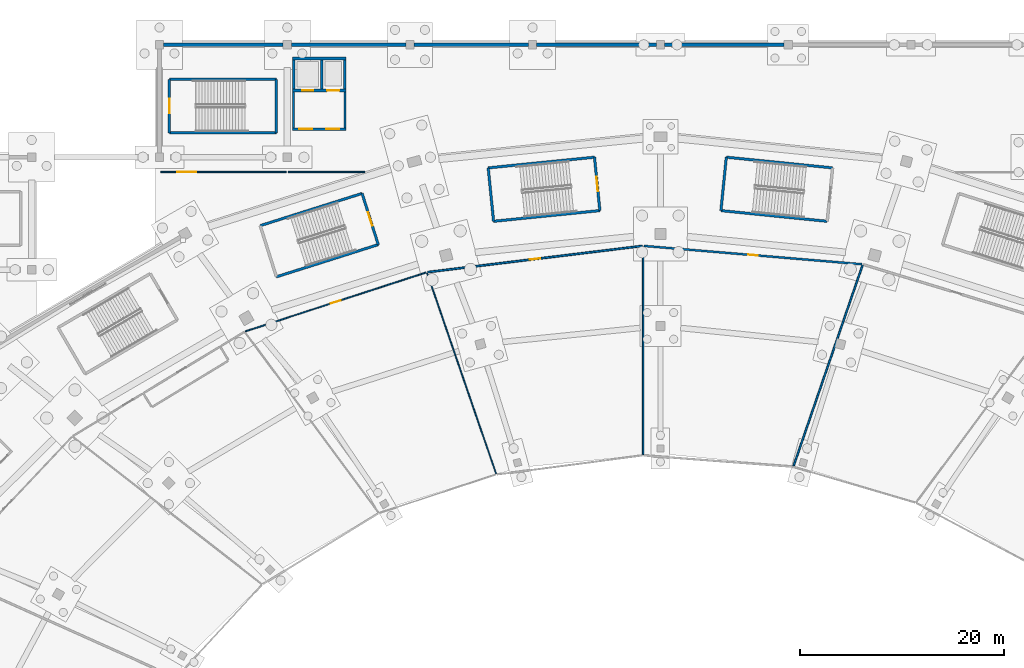
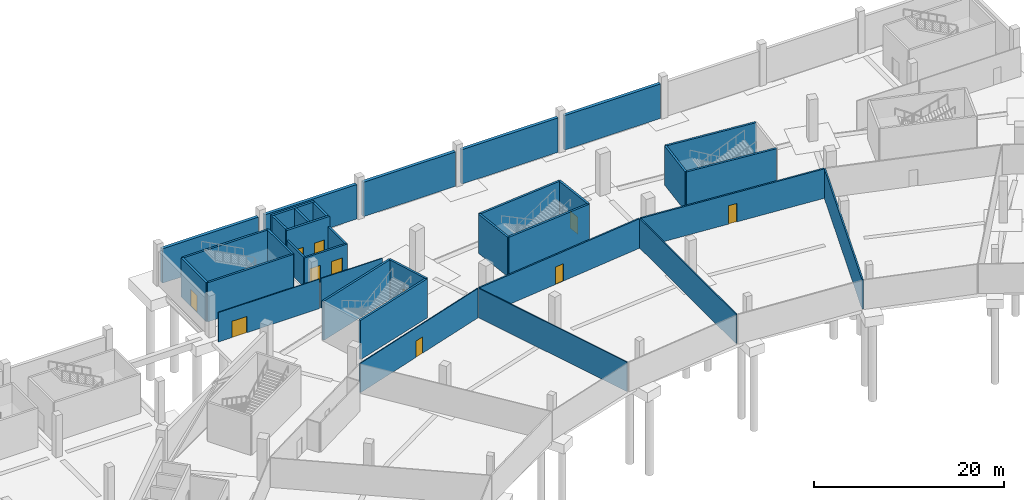
# One storey, part 46 of 74: 35 walls, 11 doors, 11 openings.
"""IFC4 building model written with IfcOpenShell, lengths in metres."""

from ifc_helpers import new_model, si_unit, direction, frame, frame_2d, origin, place, context, subcontext, project, spatial, rectangle, extrude, material, layer, layer_set, type_object, element, fill, save


model = new_model("IFC4")

# Units and contexts
model_context = context("Model", 3, precision=1e-05, world=origin(), true_north=direction((0.0, 1.0)))
body_context = subcontext(model_context, "Body", "Model", "MODEL_VIEW")
ifc_project = project(units=[si_unit("LENGTHUNIT", "METRE"), si_unit("AREAUNIT", "SQUARE_METRE"), si_unit("VOLUMEUNIT", "CUBIC_METRE"), si_unit("PLANEANGLEUNIT", "RADIAN"), si_unit("MASSUNIT", "GRAM", prefix="KILO")], contexts=[model_context])

# Site, building, storey
site_placement = place(None, origin())
site = spatial("IfcSite", under=ifc_project, at=site_placement, CompositionType="ELEMENT")
building_placement = place(site_placement, origin())
building = spatial("IfcBuilding", under=site, at=building_placement, Name="Zlatoyarsky Gate Stadium", CompositionType="ELEMENT")
storey_placement = place(building_placement, frame((0.0, 0.0, -5.39990234375)))
storey = spatial("IfcBuildingStorey", under=building, at=storey_placement, Name="B1", CompositionType="ELEMENT", Elevation=-5.39990234375)

# Wall
ifc_material_1 = material(Name="Double-stud acoustic gypsum partition", Category="gypsum")
ifc_layer_1 = layer(ifc_material_1, 0.169921875)
ifc_layer_set_1 = layer_set([ifc_layer_1], Name="Double-stud acoustic gypsum partition")
wall_type_1 = type_object("IfcWallType", Name="ACOUSTIC BROADCAST STUDIO WALL 170", PredefinedType="PARTITIONING", material=ifc_layer_set_1)
wall_1_placement = place(storey_placement, frame((124.028564453125, 118.80078125, 0.0), z_axis=(0.0, 0.0, 1.0), x_axis=(0.325086338783, 0.945684340748, 0.0)))
element("IfcWall", 1, at=wall_1_placement, inside=storey, type_object=wall_type_1, Name="B1 interior partition PRT-B1-IRD-05", PredefinedType="PARTITIONING", context=body_context, shape_type="SweptSolid", body=[
    extrude(rectangle(XDim=20.769775390625, YDim=0.169921875, at=frame_2d((10.384765625, 0.0))), origin(), (0.0, 0.0, 1.0), 3.7998046875),
])

# Wall, opening, door
ifc_material_2 = material(Name="Anodised aluminium acoustic operable wall", Category="aluminium")
ifc_layer_2 = layer(ifc_material_2, 0.114990234375)
ifc_layer_set_2 = layer_set([ifc_layer_2], Name="Anodised aluminium acoustic operable wall")
wall_type_2 = type_object("IfcWallType", Name="ACOUSTIC OPERABLE SUITE WALL 115", PredefinedType="MOVABLE", material=ifc_layer_set_2)
wall_2_placement = place(storey_placement, frame((88.071044921875, 137.72314453125, 0.0), z_axis=(0.0, 0.0, 1.0), x_axis=(-0.950832746892, -0.309704839223, 0.0)))
wall_2 = element("IfcWall", 2, at=wall_2_placement, inside=storey, type_object=wall_type_2, Name="B1 interior partition PRT-B1-ICC-07", PredefinedType="MOVABLE", context=body_context, shape_type="SweptSolid", body=[
    extrude(rectangle(XDim=18.581787109375, YDim=0.114990234375, at=frame_2d((9.291015625, 0.0))), origin(), (0.0, 0.0, 1.0), 3.7998046875),
])
opening_1_placement = place(wall_2_placement, frame((8.781005859375, 0.0, 0.0)))
opening_1 = element("IfcOpeningElement", 3, at=opening_1_placement, cuts=wall_2, Name="Opening D-B1-028", PredefinedType="OPENING", context=body_context, shape_type="SweptSolid", body=[
    extrude(rectangle(XDim=1.02001953125, YDim=2.10009765625, at=frame_2d((0.510009765625, 1.050048828125))), frame((0.0, 0.0673828125, 0.0), z_axis=(0.0, -1.0, 0.0), x_axis=(1.0, 0.0, 0.0)), (0.0, 0.0, 1.0), 0.135009765625),
])
ifc_material_3 = material(Name="Solid-core oak veneer acoustic door", Category="wood")
door_type_1 = type_object("IfcDoorType", Name="ACOUSTIC INTERIOR DOOR 1020X2100", OperationType="NOTDEFINED", PredefinedType="DOOR", material=ifc_material_3)
door_1_placement = place(opening_1_placement, origin())
door_1 = element("IfcDoor", 4, at=door_1_placement, inside=storey, type_object=door_type_1, Name="B1 room door D-B1-028", OperationType="SINGLE_SWING_LEFT", OverallHeight=2.10009765625, OverallWidth=1.02001953125, PredefinedType="DOOR", context=body_context, shape_type="SweptSolid", body=[
    extrude(rectangle(XDim=1.02001953125, YDim=2.10009765625, at=frame_2d((0.510009765625, 1.050048828125))), frame((0.0, 0.02490234375, 0.0), z_axis=(0.0, -1.0, 0.0), x_axis=(1.0, 0.0, 0.0)), (0.0, 0.0, 1.0), 0.050048828125),
])
fill(opening_1, door_1)

# Wall
ifc_material_4 = material(Name="Moisture-resistant masonry partition", Category="masonry")
ifc_layer_3 = layer(ifc_material_4, 0.139892578125)
ifc_layer_set_3 = layer_set([ifc_layer_3], Name="Moisture-resistant masonry partition")
wall_type_3 = type_object("IfcWallType", Name="ATHLETE CHANGING BLOCK PARTITION 140", PredefinedType="PARTITIONING", material=ifc_layer_set_3)
wall_3_placement = place(storey_placement, frame((109.30810546875, 119.91845703125, 0.0), z_axis=(0.0, 0.0, 1.0), x_axis=(1.2010281e-05, 0.999999999928, 0.0)))
element("IfcWall", 5, at=wall_3_placement, inside=storey, type_object=wall_type_3, Name="B1 interior partition PRT-B1-IRD-06", PredefinedType="PARTITIONING", context=body_context, shape_type="SweptSolid", body=[
    extrude(rectangle(XDim=20.32763671875, YDim=0.139892578125, at=frame_2d((10.163818359375, 0.0))), origin(), (0.0, 0.0, 1.0), 3.7998046875),
])

# Wall, opening, door
ifc_material_5 = material(Name="Gypsum-clad mineral wool fire partition", Category="gypsum")
ifc_layer_4 = layer(ifc_material_5, 0.199951171875)
ifc_layer_set_4 = layer_set([ifc_layer_4], Name="Gypsum-clad mineral wool fire partition")
wall_type_4 = type_object("IfcWallType", Name="COMPARTMENT FIRE PARTITION WALL 200", PredefinedType="PARTITIONING", material=ifc_layer_set_4)
wall_4_placement = place(storey_placement, frame((130.723388671875, 138.530029296875, 0.0), z_axis=(0.0, 0.0, 1.0), x_axis=(-0.996481037388, 0.083818507065, 0.0)))
wall_4 = element("IfcWall", 6, at=wall_4_placement, inside=storey, type_object=wall_type_4, Name="B1 interior partition PRT-B1-ICC-05", PredefinedType="PARTITIONING", context=body_context, shape_type="SweptSolid", body=[
    extrude(rectangle(XDim=21.40576171875, YDim=0.199951171875, at=frame_2d((10.702880859375, 0.0))), origin(), (0.0, 0.0, 1.0), 3.7998046875),
])
opening_2_placement = place(wall_4_placement, frame((10.222900390625, 0.0, 0.0)))
opening_2 = element("IfcOpeningElement", 7, at=opening_2_placement, cuts=wall_4, Name="Opening D-B1-022", PredefinedType="OPENING", context=body_context, shape_type="SweptSolid", body=[
    extrude(rectangle(XDim=0.9599609375, YDim=2.3798828125, at=frame_2d((0.47998046875, 1.18994140625))), frame((0.0, 0.10986328125, 0.0), z_axis=(0.0, -1.0, 0.0), x_axis=(1.0, 0.0, 0.0)), (0.0, 0.0, 1.0), 0.219970703125),
])
ifc_material_6 = material(Name="Powder-coated steel fire door", Category="steel")
door_type_2 = type_object("IfcDoorType", Name="ACOUSTIC INTERIOR DOOR 960X2380", OperationType="NOTDEFINED", PredefinedType="DOOR", material=ifc_material_6)
door_2_placement = place(opening_2_placement, origin())
door_2 = element("IfcDoor", 8, at=door_2_placement, inside=storey, type_object=door_type_2, Name="B1 room door D-B1-022", OperationType="SINGLE_SWING_LEFT", OverallHeight=2.3798828125, OverallWidth=0.9599609375, PredefinedType="DOOR", context=body_context, shape_type="SweptSolid", body=[
    extrude(rectangle(XDim=0.9599609375, YDim=2.3798828125, at=frame_2d((0.47998046875, 1.18994140625))), frame((0.0, 0.02490234375, 0.0), z_axis=(0.0, -1.0, 0.0), x_axis=(1.0, 0.0, 0.0)), (0.0, 0.0, 1.0), 0.050048828125),
])
fill(opening_2, door_2)

# Walls
ifc_material_7 = material(Name="Concrete C40/50", Category="concrete")
ifc_layer_5 = layer(ifc_material_7, 0.27001953125)
ifc_layer_set_5 = layer_set([ifc_layer_5], Name="Concrete C40/50")
wall_type_5 = type_object("IfcWallType", Name="CONCRETE LIFT SHAFT SHEAR WALL 270", PredefinedType="SHEAR", material=ifc_layer_set_5)
wall_5_placement = place(storey_placement, frame((80.25, 158.6650390625, 0.0), z_axis=(0.0, 0.0, 1.0), x_axis=(-1.0, 0.0, 0.0)))
element("IfcWall", 9, at=wall_5_placement, inside=storey, type_object=wall_type_5, Name="C5 B1 lift shaft rear wall", PredefinedType="SHEAR", context=body_context, shape_type="SweptSolid", body=[
    extrude(rectangle(XDim=5.25, YDim=0.27001953125, at=frame_2d((2.625, 0.0))), origin(), (0.0, 0.0, 1.0), 5.0498046875),
])
for number, where, z_axis, x_axis, name in (
    (10, (80.114990234375, 158.52001953125, 0.0), (0.0, 0.0, 1.0), (0.0, -1.0, 0.0), "C5 B1 lift shaft left wall"),
    (11, (75.135009765625, 158.52001953125, 0.0), (0.0, 0.0, 1.0), (0.0, -1.0, 0.0), "C5 B1 lift shaft right wall"),
    (12, (77.875, 158.52001953125, 0.0), (0.0, 0.0, 1.0), (0.0, -1.0, 0.0), "C5 B1 lift shaft divider 1"),
):
    element("IfcWall", number, at=place(storey_placement, frame(where, z_axis=z_axis, x_axis=x_axis)), inside=storey, type_object=wall_type_5, Name=name, PredefinedType="SHEAR", context=body_context, shape_type="SweptSolid", body=[
        extrude(rectangle(XDim=2.840087890625, YDim=0.27001953125, at=frame_2d((1.419921875, 0.0))), origin(), (0.0, 0.0, 1.0), 5.0498046875),
    ])

# Wall, openings, doors
wall_6_placement = place(storey_placement, frame((80.25, 155.534912109375, 0.0), z_axis=(0.0, 0.0, 1.0), x_axis=(-1.0, 0.0, 0.0)))
wall_6 = element("IfcWall", 13, at=wall_6_placement, inside=storey, type_object=wall_type_5, Name="C5 B1 lift landing front wall", PredefinedType="SHEAR", context=body_context, shape_type="SweptSolid", body=[
    extrude(rectangle(XDim=5.25, YDim=0.27001953125, at=frame_2d((2.625, 0.0))), origin(), (0.0, 0.0, 1.0), 5.0498046875),
])
opening_3_placement = place(wall_6_placement, frame((0.64990234375, 0.0, 0.0)))
opening_3 = element("IfcOpeningElement", 14, at=opening_3_placement, cuts=wall_6, Name="Opening LD-FL-05-B1", PredefinedType="OPENING", context=body_context, shape_type="SweptSolid", body=[
    extrude(rectangle(XDim=1.199951171875, YDim=2.25, at=frame_2d((0.60009765625, 1.125))), frame((0.0, 0.14501953125, 0.0), z_axis=(0.0, -1.0, 0.0), x_axis=(1.0, 0.0, 0.0)), (0.0, 0.0, 1.0), 0.2900390625),
])
opening_4_placement = place(wall_6_placement, frame((3.199951171875, 0.0, 0.0)))
opening_4 = element("IfcOpeningElement", 15, at=opening_4_placement, cuts=wall_6, Name="Opening LD-LF-09-B1", PredefinedType="OPENING", context=body_context, shape_type="SweptSolid", body=[
    extrude(rectangle(XDim=1.10009765625, YDim=2.199951171875, at=frame_2d((0.550048828125, 1.10009765625))), frame((0.0, 0.14501953125, 0.0), z_axis=(0.0, -1.0, 0.0), x_axis=(1.0, 0.0, 0.0)), (0.0, 0.0, 1.0), 0.2900390625),
])
door_type_3 = type_object("IfcDoorType", Name="STAINLESS LIFT LANDING SLIDING DOOR 1100X2200", OperationType="DOUBLE_DOOR_SLIDING", PredefinedType="DOOR", material=ifc_material_6)
door_3_placement = place(opening_4_placement, origin())
door_3 = element("IfcDoor", 16, at=door_3_placement, inside=storey, type_object=door_type_3, Name="Lift LF-09 B1 sliding landing door", OperationType="DOUBLE_DOOR_SLIDING", OverallHeight=2.199951171875, OverallWidth=1.10009765625, PredefinedType="DOOR", context=body_context, shape_type="SweptSolid", body=[
    extrude(rectangle(XDim=1.10009765625, YDim=2.199951171875, at=frame_2d((0.550048828125, 1.10009765625))), frame((0.0, 0.02490234375, 0.0), z_axis=(0.0, -1.0, 0.0), x_axis=(1.0, 0.0, 0.0)), (0.0, 0.0, 1.0), 0.050048828125),
])
fill(opening_4, door_3)
door_type_4 = type_object("IfcDoorType", Name="STAINLESS LIFT LANDING SLIDING DOOR 1200X2250", OperationType="DOUBLE_DOOR_SLIDING", PredefinedType="DOOR", material=ifc_material_6)
door_4_placement = place(opening_3_placement, origin())
door_4 = element("IfcDoor", 17, at=door_4_placement, inside=storey, type_object=door_type_4, Name="Lift FL-05 B1 sliding landing door", OperationType="DOUBLE_DOOR_SLIDING", OverallHeight=2.25, OverallWidth=1.199951171875, PredefinedType="DOOR", context=body_context, shape_type="SweptSolid", body=[
    extrude(rectangle(XDim=1.199951171875, YDim=2.25, at=frame_2d((0.60009765625, 1.125))), frame((0.0, 0.02490234375, 0.0), z_axis=(0.0, -1.0, 0.0), x_axis=(1.0, 0.0, 0.0)), (0.0, 0.0, 1.0), 0.050048828125),
])
fill(opening_3, door_4)

# Walls
ifc_material_8 = material(Name="Concrete C35/45", Category="concrete")
ifc_layer_6 = layer(ifc_material_8, 0.3798828125)
ifc_layer_set_6 = layer_set([ifc_layer_6], Name="Concrete C35/45")
wall_type_6 = type_object("IfcWallType", Name="CONCRETE RAMP RETAINING WALL 380", PredefinedType="SOLIDWALL", material=ifc_layer_set_6)
wall_7_placement = place(storey_placement, frame((62.39697265625, 160.0, 0.0), z_axis=(0.0, 0.0, 1.0), x_axis=(1.0, 0.0, 0.0)))
element("IfcWall", 18, at=wall_7_placement, inside=storey, type_object=wall_type_6, Name="V2_NORTH B1 N exterior wall", PredefinedType="SOLIDWALL", context=body_context, shape_type="SweptSolid", body=[
    extrude(rectangle(XDim=11.7060546875, YDim=0.3798828125, at=frame_2d((5.85302734375, 0.0))), origin(), (0.0, 0.0, 1.0), 4.429931640625),
])
for number, where, z_axis, x_axis, name in (
    (19, (74.89697265625, 160.0, 0.0), (0.0, 0.0, 1.0), (1.0, 0.0, 0.0), "V2_NORTH B1 N exterior wall"),
    (20, (86.89697265625, 160.0, 0.0), (0.0, 0.0, 1.0), (1.0, 0.0, 0.0), "V2_NORTH B1 N exterior wall"),
):
    element("IfcWall", number, at=place(storey_placement, frame(where, z_axis=z_axis, x_axis=x_axis)), inside=storey, type_object=wall_type_6, Name=name, PredefinedType="SOLIDWALL", context=body_context, shape_type="SweptSolid", body=[
        extrude(rectangle(XDim=11.2060546875, YDim=0.3798828125, at=frame_2d((5.60302734375, 0.0))), origin(), (0.0, 0.0, 1.0), 4.429931640625),
    ])
for number, where, z_axis, x_axis, name in (
    (21, (98.89697265625, 160.0, 0.0), (0.0, 0.0, 1.0), (1.0, 0.0, 0.0), "V2_NORTH B1 N exterior wall"),
    (22, (111.39697265625, 160.0, 0.0), (0.0, 0.0, 1.0), (1.0, 0.0, 0.0), "V2_NORTH B1 N exterior wall"),
):
    element("IfcWall", number, at=place(storey_placement, frame(where, z_axis=z_axis, x_axis=x_axis)), inside=storey, type_object=wall_type_6, Name=name, PredefinedType="SOLIDWALL", context=body_context, shape_type="SweptSolid", body=[
        extrude(rectangle(XDim=11.7060546875, YDim=0.3798828125, at=frame_2d((5.85302734375, 0.0))), origin(), (0.0, 0.0, 1.0), 4.429931640625),
    ])

# Wall, opening, door
ifc_layer_7 = layer(ifc_material_7, 0.25)
ifc_layer_set_7 = layer_set([ifc_layer_7], Name="Concrete C40/50")
wall_type_7 = type_object("IfcWallType", Name="CONCRETE STAIR CORE SHEAR WALL 250", PredefinedType="SHEAR", material=ifc_layer_set_7)
wall_8_placement = place(storey_placement, frame((105.07861328125, 143.779052734375, 0.0), z_axis=(0.0, 0.0, 1.0), x_axis=(-0.100028593886, 0.994984562898, 0.0)))
wall_8 = element("IfcWall", 23, at=wall_8_placement, inside=storey, type_object=wall_type_7, Name="ST-04 B1 stair core entrance shear wall", PredefinedType="SHEAR", context=body_context, shape_type="SweptSolid", body=[
    extrude(rectangle(XDim=5.25, YDim=0.25, at=frame_2d((2.625, 0.0))), origin(), (0.0, 0.0, 1.0), 5.0498046875),
])
opening_5_placement = place(wall_8_placement, frame((1.925048828125, 0.0, 0.0)))
opening_5 = element("IfcOpeningElement", 24, at=opening_5_placement, cuts=wall_8, Name="Opening SD-ST-04-B1", PredefinedType="OPENING", context=body_context, shape_type="SweptSolid", body=[
    extrude(rectangle(XDim=1.39990234375, YDim=2.199951171875, at=frame_2d((0.699951171875, 1.10009765625))), frame((0.0, 0.135009765625, 0.0), z_axis=(0.0, -1.0, 0.0), x_axis=(1.0, 0.0, 0.0)), (0.0, 0.0, 1.0), 0.27001953125),
])
door_type_5 = type_object("IfcDoorType", Name="STAIR CORE FIRE EXIT DOOR 1400X2200", OperationType="NOTDEFINED", PredefinedType="DOOR", material=ifc_material_6)
door_5_placement = place(opening_5_placement, frame((1.39990234375, 0.0, 0.0), z_axis=(0.0, 0.0, 1.0), x_axis=(-1.0, 0.0, 0.0)))
door_5 = element("IfcDoor", 25, at=door_5_placement, inside=storey, type_object=door_type_5, Name="ST-04 B1 stair fire door", OperationType="SINGLE_SWING_LEFT", OverallHeight=2.199951171875, OverallWidth=1.39990234375, PredefinedType="DOOR", context=body_context, shape_type="SweptSolid", body=[
    extrude(rectangle(XDim=1.39990234375, YDim=2.199951171875, at=frame_2d((0.699951171875, 1.10009765625))), frame((0.0, 0.02490234375, 0.0), z_axis=(0.0, -1.0, 0.0), x_axis=(1.0, 0.0, 0.0)), (0.0, 0.0, 1.0), 0.050048828125),
])
fill(opening_5, door_5)

# Walls
wall_9_placement = place(storey_placement, frame((104.553466796875, 149.002685546875, 0.0), z_axis=(0.0, 0.0, 1.0), x_axis=(-0.994985938948, -0.100014905366, 0.0)))
element("IfcWall", 26, at=wall_9_placement, inside=storey, type_object=wall_type_7, Name="ST-04 B1 stair core left shear wall", PredefinedType="SHEAR", context=body_context, shape_type="SweptSolid", body=[
    extrude(rectangle(XDim=10.4501953125, YDim=0.25, at=frame_2d((5.22509765625, 0.0))), origin(), (0.0, 0.0, 1.0), 5.0498046875),
])
wall_10_placement = place(storey_placement, frame((94.15576171875, 147.95751953125, 0.0), z_axis=(0.0, 0.0, 1.0), x_axis=(0.100028593886, -0.994984562898, 0.0)))
element("IfcWall", 27, at=wall_10_placement, inside=storey, type_object=wall_type_7, Name="ST-04 B1 stair core far shear wall", PredefinedType="SHEAR", context=body_context, shape_type="SweptSolid", body=[
    extrude(rectangle(XDim=5.25, YDim=0.25, at=frame_2d((2.625, 0.0))), origin(), (0.0, 0.0, 1.0), 5.0498046875),
])
wall_11_placement = place(storey_placement, frame((94.680908203125, 142.73388671875, 0.0), z_axis=(0.0, 0.0, 1.0), x_axis=(0.994985938948, 0.100014905366, 0.0)))
element("IfcWall", 28, at=wall_11_placement, inside=storey, type_object=wall_type_7, Name="ST-04 B1 stair core right shear wall", PredefinedType="SHEAR", context=body_context, shape_type="SweptSolid", body=[
    extrude(rectangle(XDim=10.4501953125, YDim=0.25, at=frame_2d((5.22509765625, 0.0))), origin(), (0.0, 0.0, 1.0), 5.0498046875),
])

# Wall, opening, door
wall_12_placement = place(storey_placement, frame((83.400390625, 140.4521484375, 0.0), z_axis=(0.0, 0.0, 1.0), x_axis=(-0.30152749866, 0.953457480726, 0.0)))
wall_12 = element("IfcWall", 29, at=wall_12_placement, inside=storey, type_object=wall_type_7, Name="ST-14 B1 stair core entrance shear wall", PredefinedType="SHEAR", context=body_context, shape_type="SweptSolid", body=[
    extrude(rectangle(XDim=5.25, YDim=0.25, at=frame_2d((2.625, 0.0))), origin(), (0.0, 0.0, 1.0), 5.0498046875),
])
opening_6_placement = place(wall_12_placement, frame((1.925048828125, 0.0, 0.0)))
opening_6 = element("IfcOpeningElement", 30, at=opening_6_placement, cuts=wall_12, Name="Opening SD-ST-14-B1", PredefinedType="OPENING", context=body_context, shape_type="SweptSolid", body=[
    extrude(rectangle(XDim=1.39990234375, YDim=2.199951171875, at=frame_2d((0.699951171875, 1.10009765625))), frame((0.0, 0.135009765625, 0.0), z_axis=(0.0, -1.0, 0.0), x_axis=(1.0, 0.0, 0.0)), (0.0, 0.0, 1.0), 0.27001953125),
])
door_6_placement = place(opening_6_placement, frame((1.39990234375, 0.0, 0.0), z_axis=(0.0, 0.0, 1.0), x_axis=(-1.0, 0.0, 0.0)))
door_6 = element("IfcDoor", 31, at=door_6_placement, inside=storey, type_object=door_type_5, Name="ST-14 B1 stair fire door", OperationType="SINGLE_SWING_LEFT", OverallHeight=2.199951171875, OverallWidth=1.39990234375, PredefinedType="DOOR", context=body_context, shape_type="SweptSolid", body=[
    extrude(rectangle(XDim=1.39990234375, YDim=2.199951171875, at=frame_2d((0.699951171875, 1.10009765625))), frame((0.0, 0.02490234375, 0.0), z_axis=(0.0, -1.0, 0.0), x_axis=(1.0, 0.0, 0.0)), (0.0, 0.0, 1.0), 0.050048828125),
])
fill(opening_6, door_6)

# Walls
for number, where, z_axis, x_axis, name in (
    (32, (81.8173828125, 145.457763671875, 0.0), (0.0, 0.0, 1.0), (-0.953459710305, -0.301520448438, 0.0), "ST-14 B1 stair core left shear wall"),
    (33, (73.436767578125, 137.30126953125, 0.0), (0.0, 0.0, 1.0), (0.953459710305, 0.301520448438, 0.0), "ST-14 B1 stair core right shear wall"),
):
    element("IfcWall", number, at=place(storey_placement, frame(where, z_axis=z_axis, x_axis=x_axis)), inside=storey, type_object=wall_type_7, Name=name, PredefinedType="SHEAR", context=body_context, shape_type="SweptSolid", body=[
        extrude(rectangle(XDim=10.449951171875, YDim=0.25, at=frame_2d((5.22509765625, 0.0))), origin(), (0.0, 0.0, 1.0), 5.0498046875),
    ])
wall_13_placement = place(storey_placement, frame((127.84423828125, 147.957763671875, 0.0), z_axis=(0.0, 0.0, 1.0), x_axis=(-0.994988263568, 0.09999177647, 0.0)))
element("IfcWall", 34, at=wall_13_placement, inside=storey, type_object=wall_type_7, Name="ST-17 B1 stair core left shear wall", PredefinedType="SHEAR", context=body_context, shape_type="SweptSolid", body=[
    extrude(rectangle(XDim=10.4501953125, YDim=0.25, at=frame_2d((5.22509765625, 0.0))), origin(), (0.0, 0.0, 1.0), 5.0498046875),
])
wall_14_placement = place(storey_placement, frame((117.446533203125, 149.002685546875, 0.0), z_axis=(0.0, 0.0, 1.0), x_axis=(-0.099982555566, -0.994989190184, 0.0)))
element("IfcWall", 35, at=wall_14_placement, inside=storey, type_object=wall_type_7, Name="ST-17 B1 stair core far shear wall", PredefinedType="SHEAR", context=body_context, shape_type="SweptSolid", body=[
    extrude(rectangle(XDim=5.25, YDim=0.25, at=frame_2d((2.625, 0.0))), origin(), (0.0, 0.0, 1.0), 5.0498046875),
])
wall_15_placement = place(storey_placement, frame((116.921630859375, 143.779052734375, 0.0), z_axis=(0.0, 0.0, 1.0), x_axis=(0.994985705245, -0.100017230303, 0.0)))
element("IfcWall", 36, at=wall_15_placement, inside=storey, type_object=wall_type_7, Name="ST-17 B1 stair core right shear wall", PredefinedType="SHEAR", context=body_context, shape_type="SweptSolid", body=[
    extrude(rectangle(XDim=10.449951171875, YDim=0.25, at=frame_2d((5.22509765625, 0.0))), origin(), (0.0, 0.0, 1.0), 5.0498046875),
])

# Wall, opening, door
wall_16_placement = place(storey_placement, frame((62.97509765625, 156.625, 0.0), z_axis=(0.0, 0.0, 1.0), x_axis=(0.0, -1.0, 0.0)))
wall_16 = element("IfcWall", 37, at=wall_16_placement, inside=storey, type_object=wall_type_7, Name="ST-31 B1 stair core entrance shear wall", PredefinedType="SHEAR", context=body_context, shape_type="SweptSolid", body=[
    extrude(rectangle(XDim=5.25, YDim=0.25, at=frame_2d((2.625, 0.0))), origin(), (0.0, 0.0, 1.0), 5.0498046875),
])
opening_7_placement = place(wall_16_placement, frame((1.925048828125, 0.0, 0.0)))
opening_7 = element("IfcOpeningElement", 38, at=opening_7_placement, cuts=wall_16, Name="Opening SD-ST-31-B1", PredefinedType="OPENING", context=body_context, shape_type="SweptSolid", body=[
    extrude(rectangle(XDim=1.39990234375, YDim=2.199951171875, at=frame_2d((0.699951171875, 1.10009765625))), frame((0.0, 0.135009765625, 0.0), z_axis=(0.0, -1.0, 0.0), x_axis=(1.0, 0.0, 0.0)), (0.0, 0.0, 1.0), 0.27001953125),
])
door_7_placement = place(opening_7_placement, frame((1.39990234375, 0.0, 0.0), z_axis=(0.0, 0.0, 1.0), x_axis=(-1.0, 0.0, 0.0)))
door_7 = element("IfcDoor", 39, at=door_7_placement, inside=storey, type_object=door_type_5, Name="ST-31 B1 stair fire door", OperationType="SINGLE_SWING_LEFT", OverallHeight=2.199951171875, OverallWidth=1.39990234375, PredefinedType="DOOR", context=body_context, shape_type="SweptSolid", body=[
    extrude(rectangle(XDim=1.39990234375, YDim=2.199951171875, at=frame_2d((0.699951171875, 1.10009765625))), frame((0.0, 0.02490234375, 0.0), z_axis=(0.0, -1.0, 0.0), x_axis=(1.0, 0.0, 0.0)), (0.0, 0.0, 1.0), 0.050048828125),
])
fill(opening_7, door_7)

# Walls
wall_17_placement = place(storey_placement, frame((62.97509765625, 151.375, 0.0), z_axis=(0.0, 0.0, 1.0), x_axis=(1.0, 0.0, 0.0)))
element("IfcWall", 40, at=wall_17_placement, inside=storey, type_object=wall_type_7, Name="ST-31 B1 stair core left shear wall", PredefinedType="SHEAR", context=body_context, shape_type="SweptSolid", body=[
    extrude(rectangle(XDim=10.449951171875, YDim=0.25, at=frame_2d((5.22509765625, 0.0))), origin(), (0.0, 0.0, 1.0), 5.0498046875),
])
wall_18_placement = place(storey_placement, frame((73.425048828125, 151.375, 0.0), z_axis=(0.0, 0.0, 1.0), x_axis=(0.0, 1.0, 0.0)))
element("IfcWall", 41, at=wall_18_placement, inside=storey, type_object=wall_type_7, Name="ST-31 B1 stair core far shear wall", PredefinedType="SHEAR", context=body_context, shape_type="SweptSolid", body=[
    extrude(rectangle(XDim=5.25, YDim=0.25, at=frame_2d((2.625, 0.0))), origin(), (0.0, 0.0, 1.0), 5.0498046875),
])
wall_19_placement = place(storey_placement, frame((73.425048828125, 156.625, 0.0), z_axis=(0.0, 0.0, 1.0), x_axis=(-1.0, 0.0, 0.0)))
element("IfcWall", 42, at=wall_19_placement, inside=storey, type_object=wall_type_7, Name="ST-31 B1 stair core right shear wall", PredefinedType="SHEAR", context=body_context, shape_type="SweptSolid", body=[
    extrude(rectangle(XDim=10.449951171875, YDim=0.25, at=frame_2d((5.22509765625, 0.0))), origin(), (0.0, 0.0, 1.0), 5.0498046875),
])
ifc_material_9 = material(Name="Autoclaved aerated concrete masonry EI 120", Category="masonry")
ifc_layer_8 = layer(ifc_material_9, 0.219970703125)
ifc_layer_set_8 = layer_set([ifc_layer_8], Name="Autoclaved aerated concrete masonry EI 120")
wall_type_8 = type_object("IfcWallType", Name="FIREFIGHTING LOBBY RATED WALL 220", PredefinedType="PARTITIONING", material=ifc_layer_set_8)
for number, where, z_axis, x_axis, name in (
    (43, (80.139892578125, 155.3798828125, 0.0), (0.0, 0.0, 1.0), (0.0, -1.0, 0.0), "C5 B1 firefighting lobby left wall"),
    (44, (75.110107421875, 155.3798828125, 0.0), (0.0, 0.0, 1.0), (0.0, -1.0, 0.0), "C5 B1 firefighting lobby right wall"),
):
    element("IfcWall", number, at=place(storey_placement, frame(where, z_axis=z_axis, x_axis=x_axis)), inside=storey, type_object=wall_type_8, Name=name, PredefinedType="PARTITIONING", context=body_context, shape_type="SweptSolid", body=[
        extrude(rectangle(XDim=3.52978515625, YDim=0.219970703125, at=frame_2d((1.764892578125, 0.0))), origin(), (0.0, 0.0, 1.0), 3.7998046875),
    ])

# Wall, openings, doors
wall_20_placement = place(storey_placement, frame((80.25, 151.739990234375, 0.0), z_axis=(0.0, 0.0, 1.0), x_axis=(-1.0, 0.0, 0.0)))
wall_20 = element("IfcWall", 45, at=wall_20_placement, inside=storey, type_object=wall_type_8, Name="C5 B1 firefighting lobby front wall", PredefinedType="PARTITIONING", context=body_context, shape_type="SweptSolid", body=[
    extrude(rectangle(XDim=5.25, YDim=0.219970703125, at=frame_2d((2.625, 0.0))), origin(), (0.0, 0.0, 1.0), 3.7998046875),
])
opening_8_placement = place(wall_20_placement, frame((0.64990234375, 0.0, 0.0)))
opening_8 = element("IfcOpeningElement", 46, at=opening_8_placement, cuts=wall_20, Name="Opening FD-C5-B1-A", PredefinedType="OPENING", context=body_context, shape_type="SweptSolid", body=[
    extrude(rectangle(XDim=1.300048828125, YDim=2.199951171875, at=frame_2d((0.64990234375, 1.10009765625))), frame((0.0, 0.119873046875, 0.0), z_axis=(0.0, -1.0, 0.0), x_axis=(1.0, 0.0, 0.0)), (0.0, 0.0, 1.0), 0.239990234375),
])
opening_9_placement = place(wall_20_placement, frame((3.300048828125, 0.0, 0.0)))
opening_9 = element("IfcOpeningElement", 47, at=opening_9_placement, cuts=wall_20, Name="Opening FD-C5-B1-B", PredefinedType="OPENING", context=body_context, shape_type="SweptSolid", body=[
    extrude(rectangle(XDim=1.300048828125, YDim=2.199951171875, at=frame_2d((0.64990234375, 1.10009765625))), frame((0.0, 0.119873046875, 0.0), z_axis=(0.0, -1.0, 0.0), x_axis=(1.0, 0.0, 0.0)), (0.0, 0.0, 1.0), 0.239990234375),
])
door_type_6 = type_object("IfcDoorType", Name="FIREFIGHTING LOBBY FIRE DOOR 1300X2200", OperationType="NOTDEFINED", PredefinedType="DOOR", material=ifc_material_6)
door_8_placement = place(opening_8_placement, origin())
door_8 = element("IfcDoor", 48, at=door_8_placement, inside=storey, type_object=door_type_6, Name="C5 B1 firefighting lobby fire door FD-C5-B1-A", OperationType="SINGLE_SWING_LEFT", OverallHeight=2.199951171875, OverallWidth=1.300048828125, PredefinedType="DOOR", context=body_context, shape_type="SweptSolid", body=[
    extrude(rectangle(XDim=1.300048828125, YDim=2.199951171875, at=frame_2d((0.64990234375, 1.10009765625))), frame((0.0, 0.02490234375, 0.0), z_axis=(0.0, -1.0, 0.0), x_axis=(1.0, 0.0, 0.0)), (0.0, 0.0, 1.0), 0.050048828125),
])
fill(opening_8, door_8)
door_9_placement = place(opening_9_placement, origin())
door_9 = element("IfcDoor", 49, at=door_9_placement, inside=storey, type_object=door_type_6, Name="C5 B1 firefighting lobby fire door FD-C5-B1-B", OperationType="SINGLE_SWING_RIGHT", OverallHeight=2.199951171875, OverallWidth=1.300048828125, PredefinedType="DOOR", context=body_context, shape_type="SweptSolid", body=[
    extrude(rectangle(XDim=1.300048828125, YDim=2.199951171875, at=frame_2d((0.64990234375, 1.10009765625))), frame((0.0, 0.02490234375, 0.0), z_axis=(0.0, -1.0, 0.0), x_axis=(1.0, 0.0, 0.0)), (0.0, 0.0, 1.0), 0.050048828125),
])
fill(opening_9, door_9)

# Walls
ifc_material_10 = material(Name="Metal-stud gypsum partition", Category="gypsum")
ifc_layer_9 = layer(ifc_material_10, 0.110107421875)
ifc_layer_set_9 = layer_set([ifc_layer_9], Name="Metal-stud gypsum partition")
wall_type_9 = type_object("IfcWallType", Name="KIOSK SERVICE PARTITION 110", PredefinedType="PARTITIONING", material=ifc_layer_set_9)
wall_21_placement = place(storey_placement, frame((94.928466796875, 118.037109375, 0.0), z_axis=(0.0, 0.0, 1.0), x_axis=(-0.325104747712, 0.945678012336, 0.0)))
element("IfcWall", 50, at=wall_21_placement, inside=storey, type_object=wall_type_9, Name="B1 interior partition PRT-B1-IRD-07", PredefinedType="PARTITIONING", context=body_context, shape_type="SweptSolid", body=[
    extrude(rectangle(XDim=20.759521484375, YDim=0.110107421875, at=frame_2d((10.3798828125, 0.0))), origin(), (0.0, 0.0, 1.0), 3.7998046875),
])
wall_22_placement = place(storey_placement, frame((74.5849609375, 147.550048828125, 0.0), z_axis=(0.0, 0.0, 1.0), x_axis=(1.0, 0.0, 0.0)))
element("IfcWall", 51, at=wall_22_placement, inside=storey, type_object=wall_type_9, Name="B1 interior partition PRT-B1-V2NC-SW1B", PredefinedType="PARTITIONING", context=body_context, shape_type="SweptSolid", body=[
    extrude(rectangle(XDim=7.517333984375, YDim=0.110107421875, at=frame_2d((3.7587890625, 0.0))), origin(), (0.0, 0.0, 1.0), 3.7998046875),
])

# Wall, opening, door
ifc_layer_10 = layer(ifc_material_10, 0.1201171875)
ifc_layer_set_10 = layer_set([ifc_layer_10], Name="Metal-stud gypsum partition")
wall_type_10 = type_object("IfcWallType", Name="OFFICE AND PRESS PARTITION 120", PredefinedType="PARTITIONING", material=ifc_layer_set_10)
wall_23_placement = place(storey_placement, frame((62.10498046875, 147.550048828125, 0.0), z_axis=(0.0, 0.0, 1.0), x_axis=(1.0, 0.0, 0.0)))
wall_23 = element("IfcWall", 52, at=wall_23_placement, inside=storey, type_object=wall_type_10, Name="B1 interior partition PRT-B1-V2NC-SW1A", PredefinedType="PARTITIONING", context=body_context, shape_type="SweptSolid", body=[
    extrude(rectangle(XDim=12.31005859375, YDim=0.1201171875, at=frame_2d((6.155029296875, 0.0))), origin(), (0.0, 0.0, 1.0), 3.7998046875),
])
opening_10_placement = place(wall_23_placement, frame((1.64990234375, 0.0, 0.0)))
opening_10 = element("IfcOpeningElement", 53, at=opening_10_placement, cuts=wall_23, Name="Opening D-B1-095", PredefinedType="OPENING", context=body_context, shape_type="SweptSolid", body=[
    extrude(rectangle(XDim=1.820068359375, YDim=2.10009765625, at=frame_2d((0.91015625, 1.050048828125))), frame((0.0, 0.070068359375, 0.0), z_axis=(0.0, -1.0, 0.0), x_axis=(1.0, 0.0, 0.0)), (0.0, 0.0, 1.0), 0.14013671875),
])
door_type_7 = type_object("IfcDoorType", Name="ACOUSTIC INTERIOR DOOR 1820X2100", OperationType="NOTDEFINED", PredefinedType="DOOR", material=ifc_material_3)
door_10_placement = place(opening_10_placement, origin())
door_10 = element("IfcDoor", 54, at=door_10_placement, inside=storey, type_object=door_type_7, Name="B1 room door D-B1-095", OperationType="SINGLE_SWING_LEFT", OverallHeight=2.10009765625, OverallWidth=1.820068359375, PredefinedType="DOOR", context=body_context, shape_type="SweptSolid", body=[
    extrude(rectangle(XDim=1.820068359375, YDim=2.10009765625, at=frame_2d((0.91015625, 1.050048828125))), frame((0.0, 0.02490234375, 0.0), z_axis=(0.0, -1.0, 0.0), x_axis=(1.0, 0.0, 0.0)), (0.0, 0.0, 1.0), 0.050048828125),
])
fill(opening_10, door_10)

ifc_layer_11 = layer(ifc_material_5, 0.179931640625)
ifc_layer_set_11 = layer_set([ifc_layer_11], Name="Gypsum-clad mineral wool fire partition")
wall_type_11 = type_object("IfcWallType", Name="PLANT AND KITCHEN RATED WALL 180", PredefinedType="PARTITIONING", material=ifc_layer_set_11)
wall_24_placement = place(storey_placement, frame((109.22412109375, 140.32080078125, 0.0), z_axis=(0.0, 0.0, 1.0), x_axis=(-0.992637076034, -0.121126525924, 0.0)))
wall_24 = element("IfcWall", 55, at=wall_24_placement, inside=storey, type_object=wall_type_11, Name="B1 interior partition PRT-B1-ICC-06", PredefinedType="PARTITIONING", context=body_context, shape_type="SweptSolid", body=[
    extrude(rectangle(XDim=21.1435546875, YDim=0.179931640625, at=frame_2d((10.57177734375, 0.0))), origin(), (0.0, 0.0, 1.0), 3.7998046875),
])
opening_11_placement = place(wall_24_placement, frame((10.061767578125, 0.0, 0.0)))
opening_11 = element("IfcOpeningElement", 56, at=opening_11_placement, cuts=wall_24, Name="Opening D-B1-025", PredefinedType="OPENING", context=body_context, shape_type="SweptSolid", body=[
    extrude(rectangle(XDim=1.02001953125, YDim=2.239990234375, at=frame_2d((0.510009765625, 1.1201171875))), frame((0.0, 0.099853515625, 0.0), z_axis=(0.0, -1.0, 0.0), x_axis=(1.0, 0.0, 0.0)), (0.0, 0.0, 1.0), 0.199951171875),
])
door_type_8 = type_object("IfcDoorType", Name="ACOUSTIC INTERIOR DOOR 1020X2240", OperationType="NOTDEFINED", PredefinedType="DOOR", material=ifc_material_6)
door_11_placement = place(opening_11_placement, origin())
door_11 = element("IfcDoor", 57, at=door_11_placement, inside=storey, type_object=door_type_8, Name="B1 room door D-B1-025", OperationType="SINGLE_SWING_RIGHT", OverallHeight=2.239990234375, OverallWidth=1.02001953125, PredefinedType="DOOR", context=body_context, shape_type="SweptSolid", body=[
    extrude(rectangle(XDim=1.02001953125, YDim=2.239990234375, at=frame_2d((0.510009765625, 1.1201171875))), frame((0.0, 0.02490234375, 0.0), z_axis=(0.0, -1.0, 0.0), x_axis=(1.0, 0.0, 0.0)), (0.0, 0.0, 1.0), 0.050048828125),
])
fill(opening_11, door_11)

save(model, "model.ifc")
